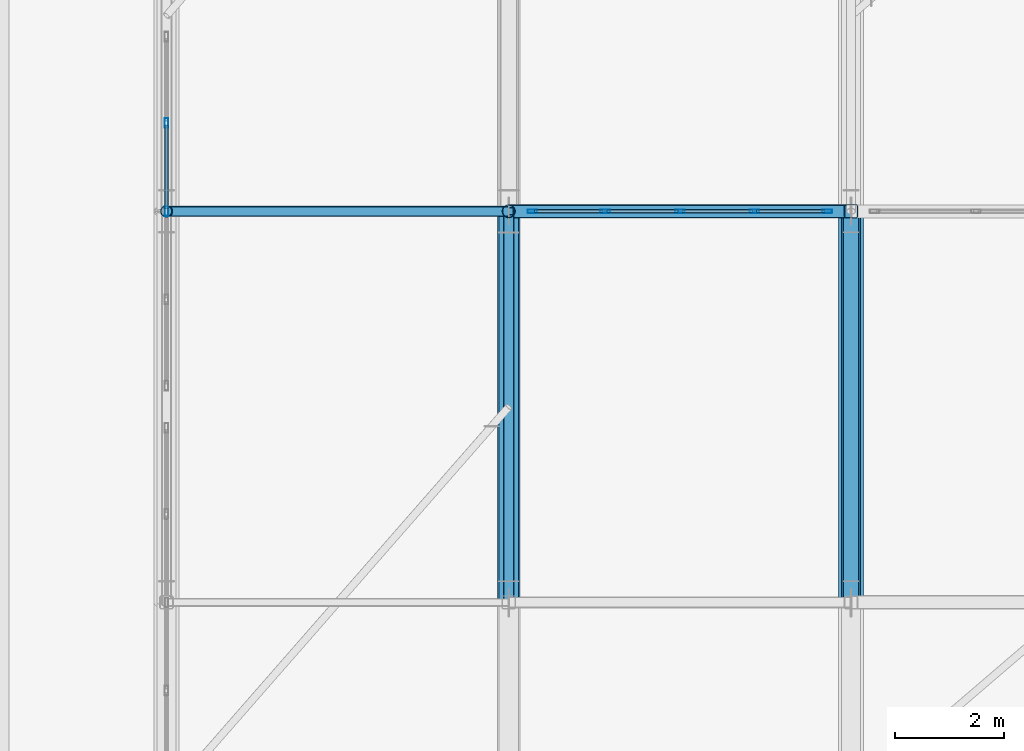
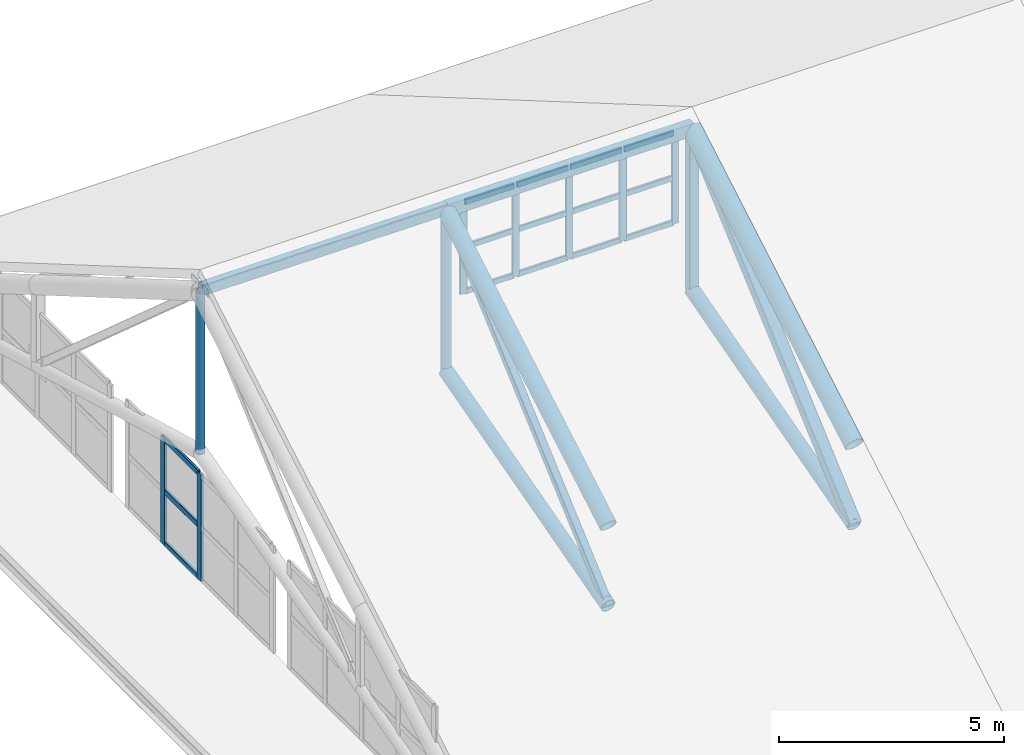
# One storey, part 6 of 54: 33 members, 2 elements without a shape of their own.
"""IFC4 building model written with IfcOpenShell, lengths in metres."""

from ifc_helpers import new_model, si_unit, direction, frame, origin, origin_2d, place, context, subcontext, project, spatial, hollow_rectangle, hollow_circle, extrude, material, layer, layer_set, material_profile, profile_set, type_object, element, aggregate, save


model = new_model("IFC4")

# Units and contexts
model_context = context("Model", 3, precision=1e-05, world=origin(), true_north=direction((0.0, 1.0)))
body_context = subcontext(model_context, "Body", "Model", "MODEL_VIEW")
ifc_project = project(units=[si_unit("LENGTHUNIT", "METRE"), si_unit("AREAUNIT", "SQUARE_METRE"), si_unit("VOLUMEUNIT", "CUBIC_METRE"), si_unit("PLANEANGLEUNIT", "RADIAN"), si_unit("MASSUNIT", "GRAM", prefix="KILO")], contexts=[model_context])

# Site, building, storey
site_placement = place(None, origin())
site = spatial("IfcSite", under=ifc_project, at=site_placement, CompositionType="ELEMENT")
building_placement = place(site_placement, origin())
building = spatial("IfcBuilding", under=site, at=building_placement, Name="Zulmaris Art Gallery", CompositionType="ELEMENT")
storey_placement = place(building_placement, frame((0.0, 0.0, 26.39990234375)))
storey = spatial("IfcBuildingStorey", under=building, at=storey_placement, Name="L05", CompositionType="ELEMENT", Elevation=26.39990234375)

# Curtain wall, members
ifc_material_1 = material(Name="Pitched Roof North-Light Clerestory Wall", Category="aluminium")
ifc_layer = layer(ifc_material_1, 0.179931640625)
ifc_layer_set = layer_set([ifc_layer], Name="Pitched Roof North-Light Clerestory Wall")
curtain_wall_type = type_object("IfcCurtainWallType", Name="CW-CW05", PredefinedType="NOTDEFINED", material=ifc_layer_set)
curtain_wall_1_placement = place(storey_placement, origin())
curtain_wall_1 = element("IfcCurtainWall", 1, at=curtain_wall_1_placement, inside=storey, type_object=curtain_wall_type, Name="L05 curtain wall 39", PredefinedType="NOTDEFINED")
ifc_material_2 = material(Name="Anodised Bronze Aluminium", Category="aluminium")
ifc_material_profile_1 = material_profile(ifc_material_2, hollow_rectangle(XDim=0.06494140625, YDim=0.179931640625, WallThickness=0.00390625, InnerFilletRadius=0.006103515625, OuterFilletRadius=0.010009765625, at=origin_2d()), Name="ALU 65x180x4")
ifc_profile_set_1 = profile_set([ifc_material_profile_1], Name="Anodised Bronze Aluminium")
member_type_1 = type_object("IfcMemberType", Name="CWMUL-01", PredefinedType="MULLION", material=ifc_profile_set_1)
member_1_placement = place(storey_placement, frame((11.39990234375, 36.0, 0.0), z_axis=(0.0, 0.0, 1.0), x_axis=(-1.0, 0.0, 0.0)))
member_1 = element("IfcMember", 2, at=member_1_placement, type_object=member_type_1, Name="CW05 mullion 3", PredefinedType="MULLION", context=body_context, shape_type="SweptSolid", body=[
    extrude(hollow_rectangle(XDim=0.06494140625, YDim=0.179931640625, WallThickness=0.00390625, InnerFilletRadius=0.006103515625, OuterFilletRadius=0.010009765625, at=origin_2d()), origin(), (0.0, 0.0, 1.0), 2.900146484375),
])
member_2_placement = place(storey_placement, frame((11.39990234375, 37.625, 0.0), z_axis=(0.0, 0.0, 1.0), x_axis=(-1.0, 0.0, 0.0)))
member_2 = element("IfcMember", 3, at=member_2_placement, type_object=member_type_1, Name="CW05 mullion 4", PredefinedType="MULLION", context=body_context, shape_type="SweptSolid", body=[
    extrude(hollow_rectangle(XDim=0.06494140625, YDim=0.179931640625, WallThickness=0.00390625, InnerFilletRadius=0.006103515625, OuterFilletRadius=0.010009765625, at=origin_2d()), origin(), (0.0, 0.0, 1.0), 2.900146484375),
])

curtain_wall_2_placement = place(storey_placement, origin())
curtain_wall_2 = element("IfcCurtainWall", 4, at=curtain_wall_2_placement, inside=storey, type_object=curtain_wall_type, Name="L05 curtain wall 44", PredefinedType="NOTDEFINED")
member_3_placement = place(storey_placement, frame((18.137451171875, 36.0, 5.400146484375), z_axis=(0.0, 0.0, 1.0), x_axis=(0.0, 1.0, 0.0)))
member_3 = element("IfcMember", 5, at=member_3_placement, type_object=member_type_1, Name="CW05 mullion 1", PredefinedType="MULLION", context=body_context, shape_type="SweptSolid", body=[
    extrude(hollow_rectangle(XDim=0.06494140625, YDim=0.179931640625, WallThickness=0.00390625, InnerFilletRadius=0.006103515625, OuterFilletRadius=0.010009765625, at=origin_2d()), origin(), (0.0, 0.0, 1.0), 2.5),
])
member_4_placement = place(storey_placement, frame((19.47509765625, 36.0, 5.400146484375), z_axis=(0.0, 0.0, 1.0), x_axis=(0.0, 1.0, 0.0)))
member_4 = element("IfcMember", 6, at=member_4_placement, type_object=member_type_1, Name="CW05 mullion 2", PredefinedType="MULLION", context=body_context, shape_type="SweptSolid", body=[
    extrude(hollow_rectangle(XDim=0.06494140625, YDim=0.179931640625, WallThickness=0.00390625, InnerFilletRadius=0.006103515625, OuterFilletRadius=0.010009765625, at=origin_2d()), origin(), (0.0, 0.0, 1.0), 2.5),
])
member_5_placement = place(storey_placement, frame((20.85009765625, 36.0, 5.400146484375), z_axis=(0.0, 0.0, 1.0), x_axis=(0.0, 1.0, 0.0)))
member_5 = element("IfcMember", 7, at=member_5_placement, type_object=member_type_1, Name="CW05 mullion 3", PredefinedType="MULLION", context=body_context, shape_type="SweptSolid", body=[
    extrude(hollow_rectangle(XDim=0.06494140625, YDim=0.179931640625, WallThickness=0.00390625, InnerFilletRadius=0.006103515625, OuterFilletRadius=0.010009765625, at=origin_2d()), origin(), (0.0, 0.0, 1.0), 2.5),
])
member_6_placement = place(storey_placement, frame((22.22509765625, 36.0, 5.400146484375), z_axis=(0.0, 0.0, 1.0), x_axis=(0.0, 1.0, 0.0)))
member_6 = element("IfcMember", 8, at=member_6_placement, type_object=member_type_1, Name="CW05 mullion 4", PredefinedType="MULLION", context=body_context, shape_type="SweptSolid", body=[
    extrude(hollow_rectangle(XDim=0.06494140625, YDim=0.179931640625, WallThickness=0.00390625, InnerFilletRadius=0.006103515625, OuterFilletRadius=0.010009765625, at=origin_2d()), origin(), (0.0, 0.0, 1.0), 2.5),
])
member_7_placement = place(storey_placement, frame((23.5625, 36.0, 5.400146484375), z_axis=(0.0, 0.0, 1.0), x_axis=(0.0, 1.0, 0.0)))
member_7 = element("IfcMember", 9, at=member_7_placement, type_object=member_type_1, Name="CW05 mullion 5", PredefinedType="MULLION", context=body_context, shape_type="SweptSolid", body=[
    extrude(hollow_rectangle(XDim=0.06494140625, YDim=0.179931640625, WallThickness=0.00390625, InnerFilletRadius=0.006103515625, OuterFilletRadius=0.010009765625, at=origin_2d()), origin(), (0.0, 0.0, 1.0), 2.5),
])

# Member
ifc_material_profile_2 = material_profile(ifc_material_2, hollow_rectangle(XDim=0.06494140625, YDim=0.14990234375, WallThickness=0.00390625, InnerFilletRadius=0.006103515625, OuterFilletRadius=0.010009765625, at=origin_2d()), Name="ALU 65x150x4")
ifc_profile_set_2 = profile_set([ifc_material_profile_2], Name="Anodised Bronze Aluminium")
member_type_2 = type_object("IfcMemberType", Name="CWTRN-01", PredefinedType="USERDEFINED", material=ifc_profile_set_2)
member_8_placement = place(storey_placement, frame((11.39990234375, 36.03759765625, 0.03759765625), z_axis=(0.0, 1.0, 0.0), x_axis=(-1.0, 0.0, 0.0)))
member_8 = element("IfcMember", 10, at=member_8_placement, type_object=member_type_2, Name="CW05 transom 3.1", ObjectType="TRANSOM", PredefinedType="USERDEFINED", context=body_context, shape_type="SweptSolid", body=[
    extrude(hollow_rectangle(XDim=0.06494140625, YDim=0.14990234375, WallThickness=0.00390625, InnerFilletRadius=0.006103515625, OuterFilletRadius=0.010009765625, at=origin_2d()), origin(), (0.0, 0.0, 1.0), 1.5498046875),
])

member_9_placement = place(storey_placement, frame((11.39990234375, 36.03759765625, 1.4501953125), z_axis=(0.0, 1.0, 0.0), x_axis=(-1.0, 0.0, 0.0)))
member_9 = element("IfcMember", 11, at=member_9_placement, type_object=member_type_2, Name="CW05 transom 3.2", ObjectType="TRANSOM", PredefinedType="USERDEFINED", context=body_context, shape_type="SweptSolid", body=[
    extrude(hollow_rectangle(XDim=0.06494140625, YDim=0.14990234375, WallThickness=0.00390625, InnerFilletRadius=0.006103515625, OuterFilletRadius=0.010009765625, at=origin_2d()), origin(), (0.0, 0.0, 1.0), 1.5498046875),
])

member_10_placement = place(storey_placement, frame((11.39990234375, 36.03759765625, 2.862548828125), z_axis=(0.0, 1.0, 0.0), x_axis=(-1.0, 0.0, 0.0)))
member_10 = element("IfcMember", 12, at=member_10_placement, type_object=member_type_2, Name="CW05 transom 3.3", ObjectType="TRANSOM", PredefinedType="USERDEFINED", context=body_context, shape_type="SweptSolid", body=[
    extrude(hollow_rectangle(XDim=0.06494140625, YDim=0.14990234375, WallThickness=0.00390625, InnerFilletRadius=0.006103515625, OuterFilletRadius=0.010009765625, at=origin_2d()), origin(), (0.0, 0.0, 1.0), 1.5498046875),
])

aggregate(curtain_wall_1, [member_1, member_2, member_8, member_9, member_10])

member_11_placement = place(storey_placement, frame((18.175048828125, 36.0, 5.4375), z_axis=(1.0, 0.0, 0.0), x_axis=(0.0, 1.0, 0.0)))
member_11 = element("IfcMember", 13, at=member_11_placement, type_object=member_type_2, Name="CW05 transom 1.1", ObjectType="TRANSOM", PredefinedType="USERDEFINED", context=body_context, shape_type="SweptSolid", body=[
    extrude(hollow_rectangle(XDim=0.06494140625, YDim=0.14990234375, WallThickness=0.00390625, InnerFilletRadius=0.006103515625, OuterFilletRadius=0.010009765625, at=origin_2d()), origin(), (0.0, 0.0, 1.0), 1.262451171875),
])

member_12_placement = place(storey_placement, frame((18.175048828125, 36.0, 6.650146484375), z_axis=(1.0, 0.0, 0.0), x_axis=(0.0, 1.0, 0.0)))
member_12 = element("IfcMember", 14, at=member_12_placement, type_object=member_type_2, Name="CW05 transom 1.2", ObjectType="TRANSOM", PredefinedType="USERDEFINED", context=body_context, shape_type="SweptSolid", body=[
    extrude(hollow_rectangle(XDim=0.06494140625, YDim=0.14990234375, WallThickness=0.00390625, InnerFilletRadius=0.006103515625, OuterFilletRadius=0.010009765625, at=origin_2d()), origin(), (0.0, 0.0, 1.0), 1.262451171875),
])

member_13_placement = place(storey_placement, frame((18.175048828125, 36.0, 7.862548828125), z_axis=(1.0, 0.0, 0.0), x_axis=(0.0, 1.0, 0.0)))
member_13 = element("IfcMember", 15, at=member_13_placement, type_object=member_type_2, Name="CW05 transom 1.3", ObjectType="TRANSOM", PredefinedType="USERDEFINED", context=body_context, shape_type="SweptSolid", body=[
    extrude(hollow_rectangle(XDim=0.06494140625, YDim=0.14990234375, WallThickness=0.00390625, InnerFilletRadius=0.006103515625, OuterFilletRadius=0.010009765625, at=origin_2d()), origin(), (0.0, 0.0, 1.0), 1.262451171875),
])

member_14_placement = place(storey_placement, frame((19.512451171875, 36.0, 5.4375), z_axis=(1.0, 0.0, 0.0), x_axis=(0.0, 1.0, 0.0)))
member_14 = element("IfcMember", 16, at=member_14_placement, type_object=member_type_2, Name="CW05 transom 2.1", ObjectType="TRANSOM", PredefinedType="USERDEFINED", context=body_context, shape_type="SweptSolid", body=[
    extrude(hollow_rectangle(XDim=0.06494140625, YDim=0.14990234375, WallThickness=0.00390625, InnerFilletRadius=0.006103515625, OuterFilletRadius=0.010009765625, at=origin_2d()), origin(), (0.0, 0.0, 1.0), 1.300048828125),
])

member_15_placement = place(storey_placement, frame((19.512451171875, 36.0, 6.650146484375), z_axis=(1.0, 0.0, 0.0), x_axis=(0.0, 1.0, 0.0)))
member_15 = element("IfcMember", 17, at=member_15_placement, type_object=member_type_2, Name="CW05 transom 2.2", ObjectType="TRANSOM", PredefinedType="USERDEFINED", context=body_context, shape_type="SweptSolid", body=[
    extrude(hollow_rectangle(XDim=0.06494140625, YDim=0.14990234375, WallThickness=0.00390625, InnerFilletRadius=0.006103515625, OuterFilletRadius=0.010009765625, at=origin_2d()), origin(), (0.0, 0.0, 1.0), 1.300048828125),
])

member_16_placement = place(storey_placement, frame((19.512451171875, 36.0, 7.862548828125), z_axis=(1.0, 0.0, 0.0), x_axis=(0.0, 1.0, 0.0)))
member_16 = element("IfcMember", 18, at=member_16_placement, type_object=member_type_2, Name="CW05 transom 2.3", ObjectType="TRANSOM", PredefinedType="USERDEFINED", context=body_context, shape_type="SweptSolid", body=[
    extrude(hollow_rectangle(XDim=0.06494140625, YDim=0.14990234375, WallThickness=0.00390625, InnerFilletRadius=0.006103515625, OuterFilletRadius=0.010009765625, at=origin_2d()), origin(), (0.0, 0.0, 1.0), 1.300048828125),
])

member_17_placement = place(storey_placement, frame((20.887451171875, 36.0, 5.4375), z_axis=(1.0, 0.0, 0.0), x_axis=(0.0, 1.0, 0.0)))
member_17 = element("IfcMember", 19, at=member_17_placement, type_object=member_type_2, Name="CW05 transom 3.1", ObjectType="TRANSOM", PredefinedType="USERDEFINED", context=body_context, shape_type="SweptSolid", body=[
    extrude(hollow_rectangle(XDim=0.06494140625, YDim=0.14990234375, WallThickness=0.00390625, InnerFilletRadius=0.006103515625, OuterFilletRadius=0.010009765625, at=origin_2d()), origin(), (0.0, 0.0, 1.0), 1.300048828125),
])

member_18_placement = place(storey_placement, frame((20.887451171875, 36.0, 6.650146484375), z_axis=(1.0, 0.0, 0.0), x_axis=(0.0, 1.0, 0.0)))
member_18 = element("IfcMember", 20, at=member_18_placement, type_object=member_type_2, Name="CW05 transom 3.2", ObjectType="TRANSOM", PredefinedType="USERDEFINED", context=body_context, shape_type="SweptSolid", body=[
    extrude(hollow_rectangle(XDim=0.06494140625, YDim=0.14990234375, WallThickness=0.00390625, InnerFilletRadius=0.006103515625, OuterFilletRadius=0.010009765625, at=origin_2d()), origin(), (0.0, 0.0, 1.0), 1.300048828125),
])

member_19_placement = place(storey_placement, frame((20.887451171875, 36.0, 7.862548828125), z_axis=(1.0, 0.0, 0.0), x_axis=(0.0, 1.0, 0.0)))
member_19 = element("IfcMember", 21, at=member_19_placement, type_object=member_type_2, Name="CW05 transom 3.3", ObjectType="TRANSOM", PredefinedType="USERDEFINED", context=body_context, shape_type="SweptSolid", body=[
    extrude(hollow_rectangle(XDim=0.06494140625, YDim=0.14990234375, WallThickness=0.00390625, InnerFilletRadius=0.006103515625, OuterFilletRadius=0.010009765625, at=origin_2d()), origin(), (0.0, 0.0, 1.0), 1.300048828125),
])

member_20_placement = place(storey_placement, frame((22.262451171875, 36.0, 5.4375), z_axis=(1.0, 0.0, 0.0), x_axis=(0.0, 1.0, 0.0)))
member_20 = element("IfcMember", 22, at=member_20_placement, type_object=member_type_2, Name="CW05 transom 4.1", ObjectType="TRANSOM", PredefinedType="USERDEFINED", context=body_context, shape_type="SweptSolid", body=[
    extrude(hollow_rectangle(XDim=0.06494140625, YDim=0.14990234375, WallThickness=0.00390625, InnerFilletRadius=0.006103515625, OuterFilletRadius=0.010009765625, at=origin_2d()), origin(), (0.0, 0.0, 1.0), 1.262451171875),
])

member_21_placement = place(storey_placement, frame((22.262451171875, 36.0, 6.650146484375), z_axis=(1.0, 0.0, 0.0), x_axis=(0.0, 1.0, 0.0)))
member_21 = element("IfcMember", 23, at=member_21_placement, type_object=member_type_2, Name="CW05 transom 4.2", ObjectType="TRANSOM", PredefinedType="USERDEFINED", context=body_context, shape_type="SweptSolid", body=[
    extrude(hollow_rectangle(XDim=0.06494140625, YDim=0.14990234375, WallThickness=0.00390625, InnerFilletRadius=0.006103515625, OuterFilletRadius=0.010009765625, at=origin_2d()), origin(), (0.0, 0.0, 1.0), 1.262451171875),
])

member_22_placement = place(storey_placement, frame((22.262451171875, 36.0, 7.862548828125), z_axis=(1.0, 0.0, 0.0), x_axis=(0.0, 1.0, 0.0)))
member_22 = element("IfcMember", 24, at=member_22_placement, type_object=member_type_2, Name="CW05 transom 4.3", ObjectType="TRANSOM", PredefinedType="USERDEFINED", context=body_context, shape_type="SweptSolid", body=[
    extrude(hollow_rectangle(XDim=0.06494140625, YDim=0.14990234375, WallThickness=0.00390625, InnerFilletRadius=0.006103515625, OuterFilletRadius=0.010009765625, at=origin_2d()), origin(), (0.0, 0.0, 1.0), 1.262451171875),
])

aggregate(curtain_wall_2, [member_3, member_4, member_5, member_6, member_7, member_11, member_12, member_13, member_14, member_15, member_16, member_17, member_18, member_19, member_20, member_21, member_22])

# Members
ifc_material_3 = material(Name="Steel S355J2H", Category="steel")
ifc_material_profile_3 = material_profile(ifc_material_3, hollow_rectangle(XDim=0.199951171875, YDim=0.300048828125, WallThickness=0.012451171875, InnerFilletRadius=0.018798828125, OuterFilletRadius=0.03125, at=origin_2d()), Name="RHS 300x200x12.5")
ifc_profile_set_3 = profile_set([ifc_material_profile_3], Name="Steel S355J2H")
member_type_3 = type_object("IfcMemberType", Name="MEM-PR03", PredefinedType="PURLIN", material=ifc_profile_set_3)
member_23_placement = place(storey_placement, frame((11.39990234375, 36.0, 7.8701171875), z_axis=(1.0, 0.0, 0.0), x_axis=(0.0, 1.0, 0.0)))
element("IfcMember", 25, at=member_23_placement, inside=storey, type_object=member_type_3, Name="Skylight roof purlin bay 1 line 3", PredefinedType="PURLIN", context=body_context, shape_type="SweptSolid", body=[
    extrude(hollow_rectangle(XDim=0.199951171875, YDim=0.300048828125, WallThickness=0.012451171875, InnerFilletRadius=0.018798828125, OuterFilletRadius=0.03125, at=origin_2d()), origin(), (0.0, 0.0, 1.0), 6.300048828125),
])
ifc_material_profile_4 = material_profile(ifc_material_3, hollow_rectangle(XDim=0.25, YDim=0.35009765625, WallThickness=0.01611328125, InnerFilletRadius=0.02392578125, OuterFilletRadius=0.0400390625, at=origin_2d()), Name="RHS 350x250x16")
ifc_profile_set_4 = profile_set([ifc_material_profile_4], Name="Steel S355J2H")
member_type_4 = type_object("IfcMemberType", Name="MEM-PR04", PredefinedType="PURLIN", material=ifc_profile_set_4)
member_24_placement = place(storey_placement, frame((17.699951171875, 36.0, 7.84521484375), z_axis=(1.0, 0.0, 0.0), x_axis=(0.0, 1.0, 0.0)))
element("IfcMember", 26, at=member_24_placement, inside=storey, type_object=member_type_4, Name="Skylight roof purlin bay 2 line 3", PredefinedType="PURLIN", context=body_context, shape_type="SweptSolid", body=[
    extrude(hollow_rectangle(XDim=0.25, YDim=0.35009765625, WallThickness=0.01611328125, InnerFilletRadius=0.02392578125, OuterFilletRadius=0.0400390625, at=origin_2d()), origin(), (0.0, 0.0, 1.0), 6.300048828125),
])
ifc_material_profile_5 = material_profile(ifc_material_3, hollow_rectangle(XDim=0.199951171875, YDim=0.199951171875, WallThickness=0.010009765625, InnerFilletRadius=0.014892578125, OuterFilletRadius=0.02490234375, at=origin_2d()), Name="SHS 200x200x10")
ifc_profile_set_5 = profile_set([ifc_material_profile_5], Name="Steel S355J2H")
member_type_5 = type_object("IfcMemberType", Name="MEM-TB06", PredefinedType="BRACE", material=ifc_profile_set_5)
member_25_placement = place(storey_placement, frame((17.699951171875, 28.800048828125, 1.4501953125), z_axis=(0.0, 0.748961175261, 0.662613883006), x_axis=(-1.0, 0.0, 0.0)))
element("IfcMember", 27, at=member_25_placement, inside=storey, type_object=member_type_5, Name="Pitched gallery truss TR-R02 diagonal 2", PredefinedType="BRACE", context=body_context, shape_type="SweptSolid", body=[
    extrude(hollow_rectangle(XDim=0.199951171875, YDim=0.199951171875, WallThickness=0.010009765625, InnerFilletRadius=0.014892578125, OuterFilletRadius=0.02490234375, at=origin_2d()), origin(), (0.0, 0.0, 1.0), 9.61328125),
])
ifc_material_profile_6 = material_profile(ifc_material_3, hollow_rectangle(XDim=0.300048828125, YDim=0.300048828125, WallThickness=0.01611328125, InnerFilletRadius=0.02392578125, OuterFilletRadius=0.0400390625, at=origin_2d()), Name="SHS 300x300x16")
ifc_profile_set_6 = profile_set([ifc_material_profile_6], Name="Steel S355J2H")
member_type_6 = type_object("IfcMemberType", Name="MEM-TB07", PredefinedType="BRACE", material=ifc_profile_set_6)
member_26_placement = place(storey_placement, frame((24.0, 28.800048828125, 1.4501953125), z_axis=(0.0, 0.748961175261, 0.662613883006), x_axis=(-1.0, 0.0, 0.0)))
element("IfcMember", 28, at=member_26_placement, inside=storey, type_object=member_type_6, Name="Pitched gallery truss TR-R03 diagonal 2", PredefinedType="BRACE", context=body_context, shape_type="SweptSolid", body=[
    extrude(hollow_rectangle(XDim=0.300048828125, YDim=0.300048828125, WallThickness=0.01611328125, InnerFilletRadius=0.02392578125, OuterFilletRadius=0.0400390625, at=origin_2d()), origin(), (0.0, 0.0, 1.0), 9.61328125),
])
ifc_material_profile_7 = material_profile(ifc_material_3, hollow_circle(Radius=0.177734375, WallThickness=0.01611328125, at=origin_2d()), Name="CHS 355.6x16")
ifc_profile_set_7 = profile_set([ifc_material_profile_7], Name="Steel S355J2H")
member_type_7 = type_object("IfcMemberType", Name="MEM-TC01", PredefinedType="CHORD", material=ifc_profile_set_7)
for number, where, z_axis, x_axis, name in (
    (29, (17.699951171875, 28.800048828125, 1.4501953125), (0.0, 0.963517441554, 0.267645548853), (-1.0, 0.0, 0.0), "Pitched gallery truss TR-R02 bottom chord 2"),
    (30, (24.0, 28.800048828125, 1.4501953125), (0.0, 0.963517441554, 0.267645548853), (-1.0, 0.0, 0.0), "Pitched gallery truss TR-R03 bottom chord 2"),
):
    element("IfcMember", number, at=place(storey_placement, frame(where, z_axis=z_axis, x_axis=x_axis)), inside=storey, type_object=member_type_7, Name=name, PredefinedType="CHORD", context=body_context, shape_type="SweptSolid", body=[
        extrude(hollow_circle(Radius=0.177734375, WallThickness=0.01611328125, at=origin_2d()), origin(), (0.0, 0.0, 1.0), 7.47265625),
    ])
ifc_material_profile_8 = material_profile(ifc_material_3, hollow_circle(Radius=0.203125, WallThickness=0.01611328125, at=origin_2d()), Name="CHS 406.4x16")
ifc_profile_set_8 = profile_set([ifc_material_profile_8], Name="Steel S355J2H")
member_type_8 = type_object("IfcMemberType", Name="MEM-TC02", PredefinedType="CHORD", material=ifc_profile_set_8)
member_27_placement = place(storey_placement, frame((17.699951171875, 28.800048828125, 3.6201171875), z_axis=(0.0, 0.863779963214, 0.503869204407), x_axis=(-1.0, 0.0, 0.0)))
element("IfcMember", 31, at=member_27_placement, inside=storey, type_object=member_type_8, Name="Pitched gallery truss TR-R02 top chord 2", PredefinedType="CHORD", context=body_context, shape_type="SweptSolid", body=[
    extrude(hollow_circle(Radius=0.203125, WallThickness=0.01611328125, at=origin_2d()), origin(), (0.0, 0.0, 1.0), 8.33544921875),
])
ifc_material_profile_9 = material_profile(ifc_material_3, hollow_circle(Radius=0.228515625, WallThickness=0.02001953125, at=origin_2d()), Name="CHS 457x20")
ifc_profile_set_9 = profile_set([ifc_material_profile_9], Name="Steel S355J2H")
member_type_9 = type_object("IfcMemberType", Name="MEM-TC03", PredefinedType="CHORD", material=ifc_profile_set_9)
member_28_placement = place(storey_placement, frame((24.0, 28.800048828125, 3.6201171875), z_axis=(0.0, 0.863779963214, 0.503869204407), x_axis=(-1.0, 0.0, 0.0)))
element("IfcMember", 32, at=member_28_placement, inside=storey, type_object=member_type_9, Name="Pitched gallery truss TR-R03 top chord 2", PredefinedType="CHORD", context=body_context, shape_type="SweptSolid", body=[
    extrude(hollow_circle(Radius=0.228515625, WallThickness=0.02001953125, at=origin_2d()), origin(), (0.0, 0.0, 1.0), 8.33544921875),
])
ifc_material_profile_10 = material_profile(ifc_material_3, hollow_circle(Radius=0.109619140625, WallThickness=0.010009765625, at=origin_2d()), Name="CHS 219.1x10")
ifc_profile_set_10 = profile_set([ifc_material_profile_10], Name="Steel S355J2H")
member_type_10 = type_object("IfcMemberType", Name="MEM-TP01", PredefinedType="POST", material=ifc_profile_set_10)
member_29_placement = place(storey_placement, frame((11.39990234375, 36.0, 3.4501953125), z_axis=(0.0, 0.0, 1.0), x_axis=(1.0, 0.0, 0.0)))
element("IfcMember", 33, at=member_29_placement, inside=storey, type_object=member_type_10, Name="Pitched gallery truss TR-R01 web post 3", PredefinedType="POST", context=body_context, shape_type="SweptSolid", body=[
    extrude(hollow_circle(Radius=0.109619140625, WallThickness=0.010009765625, at=origin_2d()), origin(), (0.0, 0.0, 1.0), 4.369873046875),
])
ifc_material_profile_11 = material_profile(ifc_material_3, hollow_circle(Radius=0.122314453125, WallThickness=0.012451171875, at=origin_2d()), Name="CHS 244.5x12.5")
ifc_profile_set_11 = profile_set([ifc_material_profile_11], Name="Steel S355J2H")
member_type_11 = type_object("IfcMemberType", Name="MEM-TP02", PredefinedType="POST", material=ifc_profile_set_11)
member_30_placement = place(storey_placement, frame((17.699951171875, 36.0, 3.4501953125), z_axis=(0.0, 0.0, 1.0), x_axis=(1.0, 0.0, 0.0)))
element("IfcMember", 34, at=member_30_placement, inside=storey, type_object=member_type_11, Name="Pitched gallery truss TR-R02 web post 3", PredefinedType="POST", context=body_context, shape_type="SweptSolid", body=[
    extrude(hollow_circle(Radius=0.122314453125, WallThickness=0.012451171875, at=origin_2d()), origin(), (0.0, 0.0, 1.0), 4.369873046875),
])
ifc_material_profile_12 = material_profile(ifc_material_3, hollow_rectangle(XDim=0.25, YDim=0.25, WallThickness=0.012451171875, InnerFilletRadius=0.018798828125, OuterFilletRadius=0.03125, at=origin_2d()), Name="SHS 250x250x12.5")
ifc_profile_set_12 = profile_set([ifc_material_profile_12], Name="Steel S355J2H")
member_type_12 = type_object("IfcMemberType", Name="MEM-TP05", PredefinedType="POST", material=ifc_profile_set_12)
member_31_placement = place(storey_placement, frame((24.0, 36.0, 3.4501953125), z_axis=(0.0, 0.0, 1.0), x_axis=(1.0, 0.0, 0.0)))
element("IfcMember", 35, at=member_31_placement, inside=storey, type_object=member_type_12, Name="Pitched gallery truss TR-R03 web post 3", PredefinedType="POST", context=body_context, shape_type="SweptSolid", body=[
    extrude(hollow_rectangle(XDim=0.25, YDim=0.25, WallThickness=0.012451171875, InnerFilletRadius=0.018798828125, OuterFilletRadius=0.03125, at=origin_2d()), origin(), (0.0, 0.0, 1.0), 4.369873046875),
])

save(model, "model.ifc")
